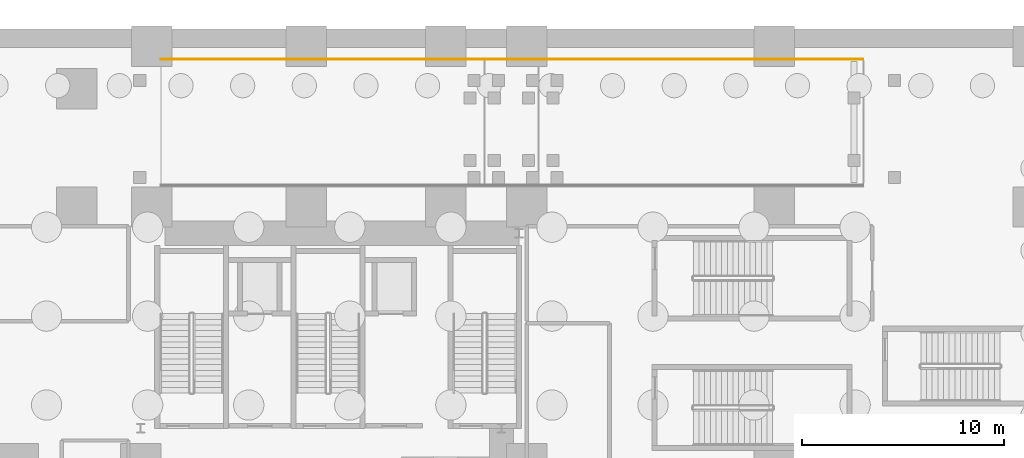
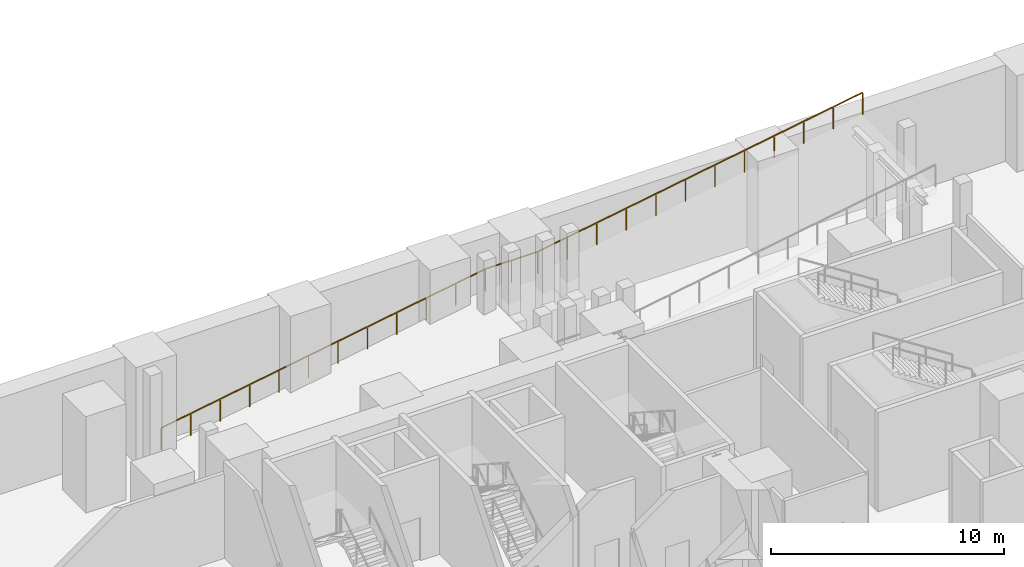
# One storey, part 12 of 14: 1 railing.
"""IFC4 building model written with IfcOpenShell, lengths in metres."""

from ifc_helpers import new_model, si_unit, direction, frame, origin, origin_2d, place, context, subcontext, project, spatial, rectangle, extrude, source, transform, mapped, material, type_object, element, save


model = new_model("IFC4")

# Units and contexts
model_context = context("Model", 3, precision=1e-05, world=origin(), true_north=direction((0.0, 1.0)))
body_context = subcontext(model_context, "Body", "Model", "MODEL_VIEW")
ifc_project = project(units=[si_unit("LENGTHUNIT", "METRE"), si_unit("AREAUNIT", "SQUARE_METRE"), si_unit("VOLUMEUNIT", "CUBIC_METRE"), si_unit("PLANEANGLEUNIT", "RADIAN"), si_unit("MASSUNIT", "GRAM", prefix="KILO")], contexts=[model_context])

# Site, building, storey
site_placement = place(None, origin())
site = spatial("IfcSite", under=ifc_project, at=site_placement, CompositionType="ELEMENT")
building_placement = place(site_placement, origin())
building = spatial("IfcBuilding", under=site, at=building_placement, Name="Vardaveli Station Tower", CompositionType="ELEMENT")
storey_placement = place(building_placement, frame((0.0, 0.0, -11.39990234375)))
storey = spatial("IfcBuildingStorey", under=building, at=storey_placement, Name="B02", CompositionType="ELEMENT", Elevation=-11.39990234375)

# Railing
ifc_material = material(Name="Brushed AISI 316 stainless steel", Category="steel")
railing_type = type_object("IfcRailingType", Name="RL-GUARD-1150", PredefinedType="GUARDRAIL", material=ifc_material)
shared_shape = source(origin(), body_context, "Body", "SweptSolid", [
    extrude(rectangle(XDim=0.048095703125, YDim=0.048095703125, at=origin_2d()), frame((0.0, 0.0, 1.15576171875), z_axis=(-0.986211320384, 0.0, -0.165490880555), x_axis=(0.0, -1.0, 0.0)), (0.0, 0.0, 1.0), 16.314697265625),
    extrude(rectangle(XDim=0.048095703125, YDim=0.048095703125, at=origin_2d()), frame((-16.08984375, 0.0, -1.5439453125), z_axis=(-1.0, 0.0, 0.0), x_axis=(0.0, -1.0, 0.0)), (0.0, 0.0, 1.0), 2.60009765625),
    extrude(rectangle(XDim=0.048095703125, YDim=0.048095703125, at=origin_2d()), frame((-18.68994140625, 0.0, -1.5439453125), z_axis=(-0.986127335493, 0.0, -0.1659905967), x_axis=(0.0, -1.0, 0.0)), (0.0, 0.0, 1.0), 16.265625),
    extrude(rectangle(XDim=0.0419921875, YDim=0.0419921875, at=origin_2d()), origin(), (0.0, 0.0, 1.0), 1.1318359375),
    extrude(rectangle(XDim=0.0419921875, YDim=0.0419921875, at=origin_2d()), frame((-1.462646484375, 0.0, -0.245361328125)), (0.0, 0.0, 1.0), 1.1318359375),
    extrude(rectangle(XDim=0.0419921875, YDim=0.0419921875, at=origin_2d()), frame((-2.925537109375, 0.0, -0.490966796875)), (0.0, 0.0, 1.0), 1.1318359375),
    extrude(rectangle(XDim=0.0419921875, YDim=0.0419921875, at=origin_2d()), frame((-4.38818359375, 0.0, -0.736328125)), (0.0, 0.0, 1.0), 1.1318359375),
    extrude(rectangle(XDim=0.0419921875, YDim=0.0419921875, at=origin_2d()), frame((-5.850830078125, 0.0, -0.981689453125)), (0.0, 0.0, 1.0), 1.1318359375),
    extrude(rectangle(XDim=0.0419921875, YDim=0.0419921875, at=origin_2d()), frame((-7.3134765625, 0.0, -1.227294921875)), (0.0, 0.0, 1.0), 1.1318359375),
    extrude(rectangle(XDim=0.0419921875, YDim=0.0419921875, at=origin_2d()), frame((-8.7763671875, 0.0, -1.47265625)), (0.0, 0.0, 1.0), 1.1318359375),
    extrude(rectangle(XDim=0.0419921875, YDim=0.0419921875, at=origin_2d()), frame((-10.239013671875, 0.0, -1.71826171875)), (0.0, 0.0, 1.0), 1.1318359375),
    extrude(rectangle(XDim=0.0419921875, YDim=0.0419921875, at=origin_2d()), frame((-11.70166015625, 0.0, -1.963623046875)), (0.0, 0.0, 1.0), 1.1318359375),
    extrude(rectangle(XDim=0.0419921875, YDim=0.0419921875, at=origin_2d()), frame((-13.164306640625, 0.0, -2.208984375)), (0.0, 0.0, 1.0), 1.1318359375),
    extrude(rectangle(XDim=0.0419921875, YDim=0.0419921875, at=origin_2d()), frame((-14.627197265625, 0.0, -2.45458984375)), (0.0, 0.0, 1.0), 1.1318359375),
    extrude(rectangle(XDim=0.0419921875, YDim=0.0419921875, at=origin_2d()), frame((-16.08984375, 0.0, -2.699951171875)), (0.0, 0.0, 1.0), 1.1318359375),
    extrude(rectangle(XDim=0.0419921875, YDim=0.0419921875, at=origin_2d()), frame((-17.389892578125, 0.0, -2.699951171875)), (0.0, 0.0, 1.0), 1.1318359375),
    extrude(rectangle(XDim=0.0419921875, YDim=0.0419921875, at=origin_2d()), frame((-18.68994140625, 0.0, -2.699951171875)), (0.0, 0.0, 1.0), 1.1318359375),
    extrude(rectangle(XDim=0.0419921875, YDim=0.0419921875, at=origin_2d()), frame((-20.148193359375, 0.0, -2.9453125)), (0.0, 0.0, 1.0), 1.1318359375),
    extrude(rectangle(XDim=0.0419921875, YDim=0.0419921875, at=origin_2d()), frame((-21.606201171875, 0.0, -3.19091796875)), (0.0, 0.0, 1.0), 1.1318359375),
    extrude(rectangle(XDim=0.0419921875, YDim=0.0419921875, at=origin_2d()), frame((-23.064453125, 0.0, -3.436279296875)), (0.0, 0.0, 1.0), 1.1318359375),
    extrude(rectangle(XDim=0.0419921875, YDim=0.0419921875, at=origin_2d()), frame((-24.522705078125, 0.0, -3.681640625)), (0.0, 0.0, 1.0), 1.1318359375),
    extrude(rectangle(XDim=0.0419921875, YDim=0.0419921875, at=origin_2d()), frame((-25.98095703125, 0.0, -3.92724609375)), (0.0, 0.0, 1.0), 1.1318359375),
    extrude(rectangle(XDim=0.0419921875, YDim=0.0419921875, at=origin_2d()), frame((-27.43896484375, 0.0, -4.172607421875)), (0.0, 0.0, 1.0), 1.1318359375),
    extrude(rectangle(XDim=0.0419921875, YDim=0.0419921875, at=origin_2d()), frame((-28.897216796875, 0.0, -4.418212890625)), (0.0, 0.0, 1.0), 1.1318359375),
    extrude(rectangle(XDim=0.0419921875, YDim=0.0419921875, at=origin_2d()), frame((-30.35546875, 0.0, -4.66357421875)), (0.0, 0.0, 1.0), 1.1318359375),
    extrude(rectangle(XDim=0.0419921875, YDim=0.0419921875, at=origin_2d()), frame((-31.813720703125, 0.0, -4.908935546875)), (0.0, 0.0, 1.0), 1.1318359375),
    extrude(rectangle(XDim=0.0419921875, YDim=0.0419921875, at=origin_2d()), frame((-33.271728515625, 0.0, -5.154541015625)), (0.0, 0.0, 1.0), 1.1318359375),
    extrude(rectangle(XDim=0.0419921875, YDim=0.0419921875, at=origin_2d()), frame((-34.72998046875, 0.0, -5.39990234375)), (0.0, 0.0, 1.0), 1.1318359375),
])
railing_placement = place(storey_placement, frame((64.389892578125, 48.919921875, 5.39990234375)))
element("IfcRailing", 1, at=railing_placement, inside=storey, type_object=railing_type, Name="RL-RMP-VEH-02-N", PredefinedType="GUARDRAIL", context=body_context, shape_type="MappedRepresentation", body=[
    mapped(shared_shape, transform((0.0, 0.0, 0.0), scale=1.0)),
])

save(model, "model.ifc")
